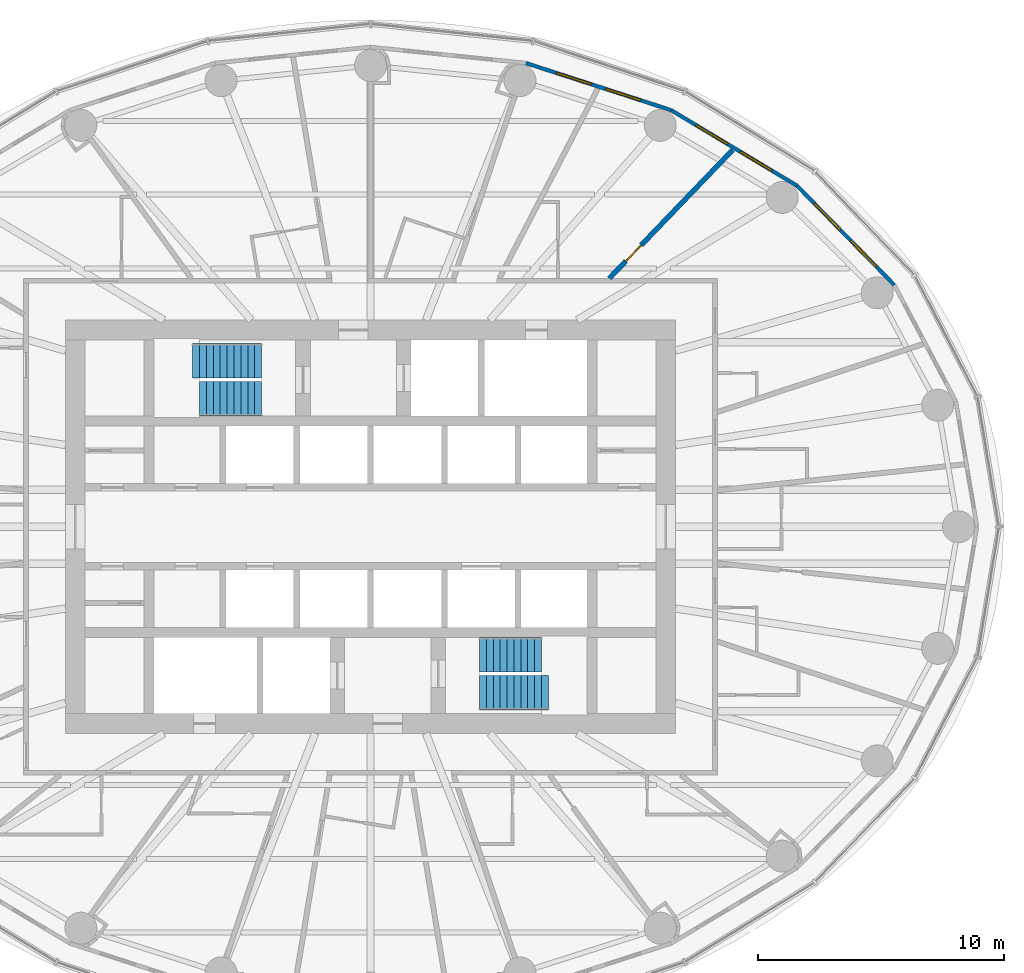
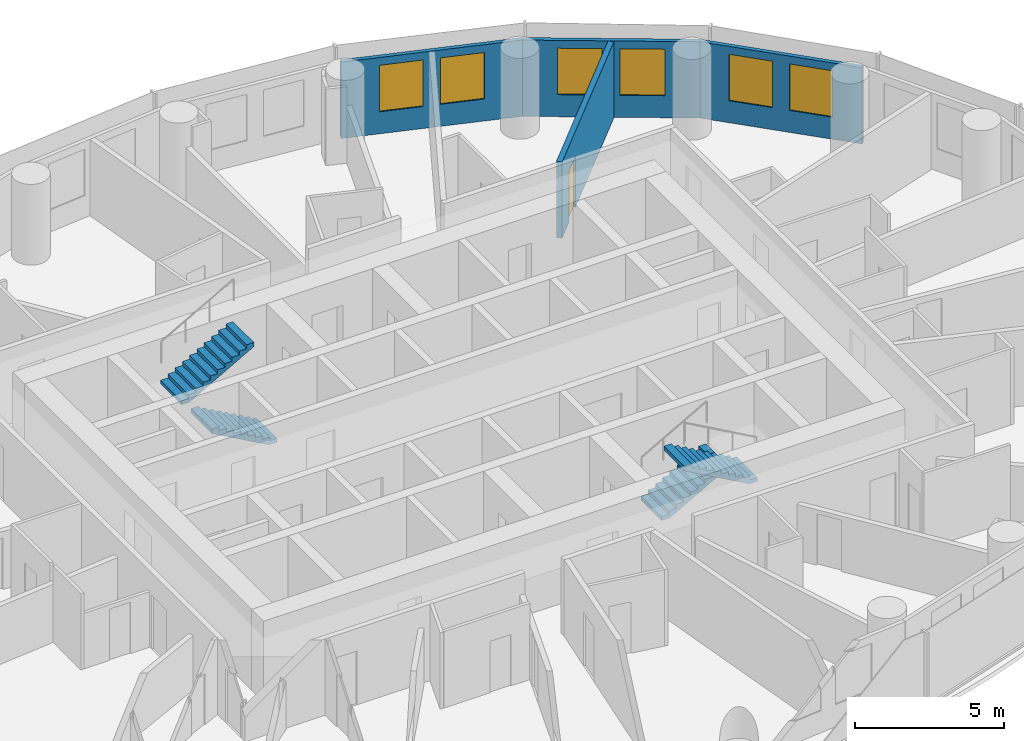
# One storey, part 12 of 13: 6 windows, 4 stair flights, 4 walls, 1 door, 7 openings, 2 elements without a shape of their own.
"""IFC4 building model written with IfcOpenShell, lengths in metres."""

from ifc_helpers import new_model, si_unit, direction, frame, frame_2d, origin, place, context, subcontext, project, spatial, polyline, rectangle, outline, extrude, material, layer, layer_set, type_object, element, fill, aggregate, save


model = new_model("IFC4")

# Units and contexts
model_context = context("Model", 3, precision=1e-05, world=origin(), true_north=direction((0.0, 1.0)))
body_context = subcontext(model_context, "Body", "Model", "MODEL_VIEW")
ifc_project = project(units=[si_unit("LENGTHUNIT", "METRE"), si_unit("AREAUNIT", "SQUARE_METRE"), si_unit("VOLUMEUNIT", "CUBIC_METRE"), si_unit("PLANEANGLEUNIT", "RADIAN"), si_unit("MASSUNIT", "GRAM", prefix="KILO")], contexts=[model_context])

# Site, building, storey
site_placement = place(None, origin())
site = spatial("IfcSite", under=ifc_project, at=site_placement, CompositionType="ELEMENT")
building_placement = place(site_placement, origin())
building = spatial("IfcBuilding", under=site, at=building_placement, Name="Hankou Lantern Tower", CompositionType="ELEMENT")
storey_placement = place(building_placement, frame((0.0, 0.0, 132.0)))
storey = spatial("IfcBuildingStorey", under=building, at=storey_placement, Name="L34", CompositionType="ELEMENT", Elevation=132.0)

# Wall, openings, windows
ifc_material_1 = material(Name="Aluminium spandrel panel on steel studs", Category="steel")
ifc_layer_1 = layer(ifc_material_1, 0.14990234375)
ifc_layer_set_1 = layer_set([ifc_layer_1], Name="Aluminium spandrel panel on steel studs")
wall_type_1 = type_object("IfcWallType", Name="EW1 INNER SKIN WALL 150", PredefinedType="ELEMENTEDWALL", material=ifc_layer_set_1)
wall_1_placement = place(storey_placement, frame((21.287353515625, 9.83203125, 0.0), z_axis=(0.0, 0.0, 1.0), x_axis=(-0.700136650834, 0.714008872605, 0.0)))
wall_1 = element("IfcWall", 1, at=wall_1_placement, inside=storey, type_object=wall_type_1, Name="Inner skin R03-R04 L34", PredefinedType="ELEMENTEDWALL", context=body_context, shape_type="SweptSolid", body=[
    extrude(rectangle(XDim=5.6494140625, YDim=0.14990234375, at=frame_2d((2.82470703125, 0.0))), origin(), (0.0, 0.0, 1.0), 3.1201171875),
])
opening_1_placement = place(wall_1_placement, frame((1.024658203125, 0.0, 0.89990234375)))
opening_1 = element("IfcOpeningElement", 2, at=opening_1_placement, cuts=wall_1, Name="Opening W2", PredefinedType="OPENING", context=body_context, shape_type="SweptSolid", body=[
    extrude(rectangle(XDim=1.5, YDim=1.89990234375, at=frame_2d((0.75, 0.949951171875))), frame((0.0, 0.0849609375, 0.0), z_axis=(0.0, -1.0, 0.0), x_axis=(1.0, 0.0, 0.0)), (0.0, 0.0, 1.0), 0.169921875),
])
opening_2_placement = place(wall_1_placement, frame((3.12451171875, 0.0, 0.89990234375)))
opening_2 = element("IfcOpeningElement", 3, at=opening_2_placement, cuts=wall_1, Name="Opening W2", PredefinedType="OPENING", context=body_context, shape_type="SweptSolid", body=[
    extrude(rectangle(XDim=1.5, YDim=1.89990234375, at=frame_2d((0.75, 0.949951171875))), frame((0.0, 0.0849609375, 0.0), z_axis=(0.0, -1.0, 0.0), x_axis=(1.0, 0.0, 0.0)), (0.0, 0.0, 1.0), 0.169921875),
])
ifc_material_2 = material(Name="Aluminium framed double glazed window", Category="aluminium")
window_type = type_object("IfcWindowType", Name="W2 GUEST ROOM WINDOW 1500X1900", PartitioningType="DOUBLE_PANEL_VERTICAL", PredefinedType="WINDOW", material=ifc_material_2)
window_1_placement = place(opening_1_placement, origin())
window_1 = element("IfcWindow", 4, at=window_1_placement, inside=storey, type_object=window_type, Name="Window R03.1 L34", OverallHeight=1.89990234375, OverallWidth=1.5, PartitioningType="SINGLE_PANEL", PredefinedType="WINDOW", context=body_context, shape_type="SweptSolid", body=[
    extrude(rectangle(XDim=1.5, YDim=1.89990234375, at=frame_2d((0.75, 0.949951171875))), frame((0.0, 0.030029296875, 0.0), z_axis=(0.0, -1.0, 0.0), x_axis=(1.0, 0.0, 0.0)), (0.0, 0.0, 1.0), 0.06005859375),
])
fill(opening_1, window_1)
window_2_placement = place(opening_2_placement, origin())
window_2 = element("IfcWindow", 5, at=window_2_placement, inside=storey, type_object=window_type, Name="Window R03.2 L34", OverallHeight=1.89990234375, OverallWidth=1.5, PartitioningType="SINGLE_PANEL", PredefinedType="WINDOW", context=body_context, shape_type="SweptSolid", body=[
    extrude(rectangle(XDim=1.5, YDim=1.89990234375, at=frame_2d((0.75, 0.949951171875))), frame((0.0, 0.030029296875, 0.0), z_axis=(0.0, -1.0, 0.0), x_axis=(1.0, 0.0, 0.0)), (0.0, 0.0, 1.0), 0.06005859375),
])
fill(opening_2, window_2)

wall_2_placement = place(storey_placement, frame((17.33203125, 13.86572265625, 0.0), z_axis=(0.0, 0.0, 1.0), x_axis=(-0.857308573723, 0.514802884044, 0.0)))
wall_2 = element("IfcWall", 6, at=wall_2_placement, inside=storey, type_object=wall_type_1, Name="Inner skin R04-R05 L34", PredefinedType="ELEMENTEDWALL", context=body_context, shape_type="SweptSolid", body=[
    extrude(rectangle(XDim=5.961181640625, YDim=0.14990234375, at=frame_2d((2.98046875, 0.0))), origin(), (0.0, 0.0, 1.0), 3.1201171875),
])
opening_3_placement = place(wall_2_placement, frame((1.1806640625, 0.0, 0.89990234375)))
opening_3 = element("IfcOpeningElement", 7, at=opening_3_placement, cuts=wall_2, Name="Opening W2", PredefinedType="OPENING", context=body_context, shape_type="SweptSolid", body=[
    extrude(rectangle(XDim=1.5, YDim=1.89990234375, at=frame_2d((0.75, 0.949951171875))), frame((0.0, 0.0849609375, 0.0), z_axis=(0.0, -1.0, 0.0), x_axis=(1.0, 0.0, 0.0)), (0.0, 0.0, 1.0), 0.169921875),
])
opening_4_placement = place(wall_2_placement, frame((3.280517578125, 0.0, 0.89990234375)))
opening_4 = element("IfcOpeningElement", 8, at=opening_4_placement, cuts=wall_2, Name="Opening W2", PredefinedType="OPENING", context=body_context, shape_type="SweptSolid", body=[
    extrude(rectangle(XDim=1.5, YDim=1.89990234375, at=frame_2d((0.75, 0.949951171875))), frame((0.0, 0.0849609375, 0.0), z_axis=(0.0, -1.0, 0.0), x_axis=(1.0, 0.0, 0.0)), (0.0, 0.0, 1.0), 0.169921875),
])
window_3_placement = place(opening_3_placement, origin())
window_3 = element("IfcWindow", 9, at=window_3_placement, inside=storey, type_object=window_type, Name="Window R04.1 L34", OverallHeight=1.89990234375, OverallWidth=1.5, PartitioningType="SINGLE_PANEL", PredefinedType="WINDOW", context=body_context, shape_type="SweptSolid", body=[
    extrude(rectangle(XDim=1.5, YDim=1.89990234375, at=frame_2d((0.75, 0.949951171875))), frame((0.0, 0.030029296875, 0.0), z_axis=(0.0, -1.0, 0.0), x_axis=(1.0, 0.0, 0.0)), (0.0, 0.0, 1.0), 0.06005859375),
])
fill(opening_3, window_3)
window_4_placement = place(opening_4_placement, origin())
window_4 = element("IfcWindow", 10, at=window_4_placement, inside=storey, type_object=window_type, Name="Window R04.2 L34", OverallHeight=1.89990234375, OverallWidth=1.5, PartitioningType="SINGLE_PANEL", PredefinedType="WINDOW", context=body_context, shape_type="SweptSolid", body=[
    extrude(rectangle(XDim=1.5, YDim=1.89990234375, at=frame_2d((0.75, 0.949951171875))), frame((0.0, 0.030029296875, 0.0), z_axis=(0.0, -1.0, 0.0), x_axis=(1.0, 0.0, 0.0)), (0.0, 0.0, 1.0), 0.06005859375),
])
fill(opening_4, window_4)

wall_3_placement = place(storey_placement, frame((12.221435546875, 16.9345703125, 0.0), z_axis=(0.0, 0.0, 1.0), x_axis=(-0.951272691506, 0.308350881944, 0.0)))
wall_3 = element("IfcWall", 11, at=wall_3_placement, inside=storey, type_object=wall_type_1, Name="Inner skin R05-R06 L34", PredefinedType="ELEMENTEDWALL", context=body_context, shape_type="SweptSolid", body=[
    extrude(rectangle(XDim=6.210693359375, YDim=0.14990234375, at=frame_2d((3.10546875, 0.0))), origin(), (0.0, 0.0, 1.0), 3.1201171875),
])
opening_5_placement = place(wall_3_placement, frame((1.305419921875, 0.0, 0.89990234375)))
opening_5 = element("IfcOpeningElement", 12, at=opening_5_placement, cuts=wall_3, Name="Opening W2", PredefinedType="OPENING", context=body_context, shape_type="SweptSolid", body=[
    extrude(rectangle(XDim=1.5, YDim=1.89990234375, at=frame_2d((0.75, 0.949951171875))), frame((0.0, 0.0849609375, 0.0), z_axis=(0.0, -1.0, 0.0), x_axis=(1.0, 0.0, 0.0)), (0.0, 0.0, 1.0), 0.169921875),
])
opening_6_placement = place(wall_3_placement, frame((3.4052734375, 0.0, 0.89990234375)))
opening_6 = element("IfcOpeningElement", 13, at=opening_6_placement, cuts=wall_3, Name="Opening W2", PredefinedType="OPENING", context=body_context, shape_type="SweptSolid", body=[
    extrude(rectangle(XDim=1.5, YDim=1.89990234375, at=frame_2d((0.75, 0.949951171875))), frame((0.0, 0.0849609375, 0.0), z_axis=(0.0, -1.0, 0.0), x_axis=(1.0, 0.0, 0.0)), (0.0, 0.0, 1.0), 0.169921875),
])
window_5_placement = place(opening_5_placement, origin())
window_5 = element("IfcWindow", 14, at=window_5_placement, inside=storey, type_object=window_type, Name="Window R05.1 L34", OverallHeight=1.89990234375, OverallWidth=1.5, PartitioningType="SINGLE_PANEL", PredefinedType="WINDOW", context=body_context, shape_type="SweptSolid", body=[
    extrude(rectangle(XDim=1.5, YDim=1.89990234375, at=frame_2d((0.75, 0.949951171875))), frame((0.0, 0.030029296875, 0.0), z_axis=(0.0, -1.0, 0.0), x_axis=(1.0, 0.0, 0.0)), (0.0, 0.0, 1.0), 0.06005859375),
])
fill(opening_5, window_5)
window_6_placement = place(opening_6_placement, origin())
window_6 = element("IfcWindow", 15, at=window_6_placement, inside=storey, type_object=window_type, Name="Window R05.2 L34", OverallHeight=1.89990234375, OverallWidth=1.5, PartitioningType="SINGLE_PANEL", PredefinedType="WINDOW", context=body_context, shape_type="SweptSolid", body=[
    extrude(rectangle(XDim=1.5, YDim=1.89990234375, at=frame_2d((0.75, 0.949951171875))), frame((0.0, 0.030029296875, 0.0), z_axis=(0.0, -1.0, 0.0), x_axis=(1.0, 0.0, 0.0)), (0.0, 0.0, 1.0), 0.06005859375),
])
fill(opening_6, window_6)

# Wall, opening, door
ifc_material_3 = material(Name="Masonry lightweight concrete block", Category="masonry")
ifc_layer_2 = layer(ifc_material_3, 0.199951171875)
ifc_layer_set_2 = layer_set([ifc_layer_2], Name="Masonry lightweight concrete block")
wall_type_2 = type_object("IfcWallType", Name="IW6 SUITE PARTITION 200", PredefinedType="PARTITIONING", material=ifc_layer_set_2)
wall_4_placement = place(storey_placement, frame((9.706298828125, 10.10009765625, 0.0), z_axis=(0.0, 0.0, 1.0), x_axis=(0.692944801824, 0.720990639069, 0.0)))
wall_4 = element("IfcWall", 16, at=wall_4_placement, inside=storey, type_object=wall_type_2, Name="Suite partition R04-R05", PredefinedType="PARTITIONING", context=body_context, shape_type="SweptSolid", body=[
    extrude(rectangle(XDim=7.23388671875, YDim=0.199951171875, at=frame_2d((3.616943359375, 0.0))), origin(), (0.0, 0.0, 1.0), 3.1201171875),
])
opening_7_placement = place(wall_4_placement, frame((0.969970703125, 0.0, 0.0)))
opening_7 = element("IfcOpeningElement", 17, at=opening_7_placement, cuts=wall_4, Name="Opening D27", PredefinedType="OPENING", context=body_context, shape_type="SweptSolid", body=[
    extrude(rectangle(XDim=0.89990234375, YDim=2.10009765625, at=frame_2d((0.449951171875, 1.050048828125))), frame((0.0, 0.10986328125, 0.0), z_axis=(0.0, -1.0, 0.0), x_axis=(1.0, 0.0, 0.0)), (0.0, 0.0, 1.0), 0.219970703125),
])
ifc_material_4 = material(Name="Timber door leaf", Category="wood")
door_type = type_object("IfcDoorType", Name="D27 INTERNAL DOOR 900X2100", OperationType="SINGLE_SWING_LEFT", PredefinedType="DOOR", material=ifc_material_4)
door_placement = place(opening_7_placement, origin())
door = element("IfcDoor", 18, at=door_placement, inside=storey, type_object=door_type, Name="Corner suite 3418 bedroom door", OperationType="SINGLE_SWING_LEFT", OverallHeight=2.10009765625, OverallWidth=0.89990234375, PredefinedType="DOOR", context=body_context, shape_type="SweptSolid", body=[
    extrude(rectangle(XDim=0.89990234375, YDim=2.10009765625, at=frame_2d((0.449951171875, 1.050048828125))), frame((0.0, 0.02490234375, 0.0), z_axis=(0.0, -1.0, 0.0), x_axis=(1.0, 0.0, 0.0)), (0.0, 0.0, 1.0), 0.050048828125),
])
fill(opening_7, door)

# Stair, stair flight
ifc_material_5 = material(Name="Concrete C40", Category="concrete")
stair_type = type_object("IfcStairType", Name="ST33 CORE STAIR 3300 RISE", PredefinedType="HALF_TURN_STAIR", material=ifc_material_5)
stair_1_placement = place(storey_placement, origin())
stair_1 = element("IfcStair", 19, at=stair_1_placement, inside=storey, type_object=stair_type, Name="Stair STA L34", PredefinedType="HALF_TURN_STAIR")
ifc_material_6 = material(Name="Concrete C40", Category="concrete")
stair_flight_type_1 = type_object("IfcStairFlightType", Name="CF10 CORE STAIR FLIGHT 1400 X 10 RISERS", PredefinedType="STRAIGHT", material=ifc_material_6)
stair_flight_1_placement = place(storey_placement, frame((-4.429931640625, 5.199951171875, 0.0), z_axis=(0.0, 0.0, 1.0), x_axis=(-1.0, 0.0, 0.0)))
stair_flight_1 = element("IfcStairFlight", 20, at=stair_flight_1_placement, type_object=stair_flight_type_1, Name="STA flight 1", NumberOfRisers=10, NumberOfTreads=9, PredefinedType="STRAIGHT", RiserHeight=0.157142857, TreadLength=0.28, context=body_context, shape_type="SweptSolid", body=[
    extrude(outline(polyline([(0.0, 0.0), (0.0, 0.1572265625), (0.280029296875, 0.1572265625), (0.280029296875, 0.314208984375), (0.56005859375, 0.314208984375), (0.56005859375, 0.471435546875), (0.840087890625, 0.471435546875), (0.840087890625, 0.628662109375), (1.1201171875, 0.628662109375), (1.1201171875, 0.78564453125), (1.39990234375, 0.78564453125), (1.39990234375, 0.94287109375), (1.679931640625, 0.94287109375), (1.679931640625, 1.10009765625), (1.9599609375, 1.10009765625), (1.9599609375, 1.257080078125), (2.239990234375, 1.257080078125), (2.239990234375, 1.414306640625), (2.52001953125, 1.414306640625), (2.52001953125, 1.571533203125), (2.52001953125, 1.242431640625), (0.306396484375, 0.0), (0.0, 0.0)])), frame((0.0, 0.699951171875, 0.0), z_axis=(0.0, -1.0, 0.0), x_axis=(1.0, 0.0, 0.0)), (0.0, 0.0, 1.0), 1.39990234375),
])

stair_2_placement = place(storey_placement, origin())
stair_2 = element("IfcStair", 21, at=stair_2_placement, inside=storey, type_object=stair_type, Name="Stair STB L34", PredefinedType="HALF_TURN_STAIR")
stair_flight_2_placement = place(storey_placement, frame((4.429931640625, -5.199951171875, 0.0), z_axis=(0.0, 0.0, 1.0), x_axis=(1.0, 0.0, 0.0)))
stair_flight_2 = element("IfcStairFlight", 22, at=stair_flight_2_placement, type_object=stair_flight_type_1, Name="STB flight 1", NumberOfRisers=10, NumberOfTreads=9, PredefinedType="STRAIGHT", RiserHeight=0.157142857, TreadLength=0.28, context=body_context, shape_type="SweptSolid", body=[
    extrude(outline(polyline([(0.0, 0.0), (0.0, 0.1572265625), (0.280029296875, 0.1572265625), (0.280029296875, 0.314208984375), (0.56005859375, 0.314208984375), (0.56005859375, 0.471435546875), (0.840087890625, 0.471435546875), (0.840087890625, 0.628662109375), (1.1201171875, 0.628662109375), (1.1201171875, 0.78564453125), (1.39990234375, 0.78564453125), (1.39990234375, 0.94287109375), (1.679931640625, 0.94287109375), (1.679931640625, 1.10009765625), (1.9599609375, 1.10009765625), (1.9599609375, 1.257080078125), (2.239990234375, 1.257080078125), (2.239990234375, 1.414306640625), (2.52001953125, 1.414306640625), (2.52001953125, 1.571533203125), (2.52001953125, 1.242431640625), (0.306396484375, 0.0), (0.0, 0.0)])), frame((0.0, 0.699951171875, 0.0), z_axis=(0.0, -1.0, 0.0), x_axis=(1.0, 0.0, 0.0)), (0.0, 0.0, 1.0), 1.39990234375),
])

# Stair flight
ifc_material_7 = material(Name="Concrete C40", Category="concrete")
stair_flight_type_2 = type_object("IfcStairFlightType", Name="CF11 CORE STAIR FLIGHT 1400 X 11 RISERS", PredefinedType="STRAIGHT", material=ifc_material_7)
stair_flight_3_placement = place(storey_placement, frame((-7.22998046875, 6.75, 1.571533203125), z_axis=(0.0, 0.0, 1.0), x_axis=(1.0, 0.0, 0.0)))
stair_flight_3 = element("IfcStairFlight", 23, at=stair_flight_3_placement, type_object=stair_flight_type_2, Name="STA flight 2", NumberOfRisers=11, NumberOfTreads=10, PredefinedType="STRAIGHT", RiserHeight=0.157142857, TreadLength=0.28, context=body_context, shape_type="SweptSolid", body=[
    extrude(outline(polyline([(0.0, 0.0), (0.0, 0.1572265625), (0.280029296875, 0.1572265625), (0.280029296875, 0.314208984375), (0.56005859375, 0.314208984375), (0.56005859375, 0.471435546875), (0.840087890625, 0.471435546875), (0.840087890625, 0.628662109375), (1.1201171875, 0.628662109375), (1.1201171875, 0.78564453125), (1.39990234375, 0.78564453125), (1.39990234375, 0.94287109375), (1.679931640625, 0.94287109375), (1.679931640625, 1.10009765625), (1.9599609375, 1.10009765625), (1.9599609375, 1.257080078125), (2.239990234375, 1.257080078125), (2.239990234375, 1.414306640625), (2.52001953125, 1.414306640625), (2.52001953125, 1.571533203125), (2.800048828125, 1.571533203125), (2.800048828125, 1.728515625), (2.800048828125, 1.3994140625), (0.306396484375, 0.0), (0.0, 0.0)])), frame((0.0, 0.699951171875, 0.0), z_axis=(0.0, -1.0, 0.0), x_axis=(1.0, 0.0, 0.0)), (0.0, 0.0, 1.0), 1.39990234375),
])

aggregate(stair_1, [stair_flight_1, stair_flight_3])

stair_flight_4_placement = place(storey_placement, frame((7.22998046875, -6.75, 1.571533203125), z_axis=(0.0, 0.0, 1.0), x_axis=(-1.0, 0.0, 0.0)))
stair_flight_4 = element("IfcStairFlight", 24, at=stair_flight_4_placement, type_object=stair_flight_type_2, Name="STB flight 2", NumberOfRisers=11, NumberOfTreads=10, PredefinedType="STRAIGHT", RiserHeight=0.157142857, TreadLength=0.28, context=body_context, shape_type="SweptSolid", body=[
    extrude(outline(polyline([(0.0, 0.0), (0.0, 0.1572265625), (0.280029296875, 0.1572265625), (0.280029296875, 0.314208984375), (0.56005859375, 0.314208984375), (0.56005859375, 0.471435546875), (0.840087890625, 0.471435546875), (0.840087890625, 0.628662109375), (1.1201171875, 0.628662109375), (1.1201171875, 0.78564453125), (1.39990234375, 0.78564453125), (1.39990234375, 0.94287109375), (1.679931640625, 0.94287109375), (1.679931640625, 1.10009765625), (1.9599609375, 1.10009765625), (1.9599609375, 1.257080078125), (2.239990234375, 1.257080078125), (2.239990234375, 1.414306640625), (2.52001953125, 1.414306640625), (2.52001953125, 1.571533203125), (2.800048828125, 1.571533203125), (2.800048828125, 1.728515625), (2.800048828125, 1.3994140625), (0.306396484375, 0.0), (0.0, 0.0)])), frame((0.0, 0.699951171875, 0.0), z_axis=(0.0, -1.0, 0.0), x_axis=(1.0, 0.0, 0.0)), (0.0, 0.0, 1.0), 1.39990234375),
])

aggregate(stair_2, [stair_flight_2, stair_flight_4])

save(model, "model.ifc")
